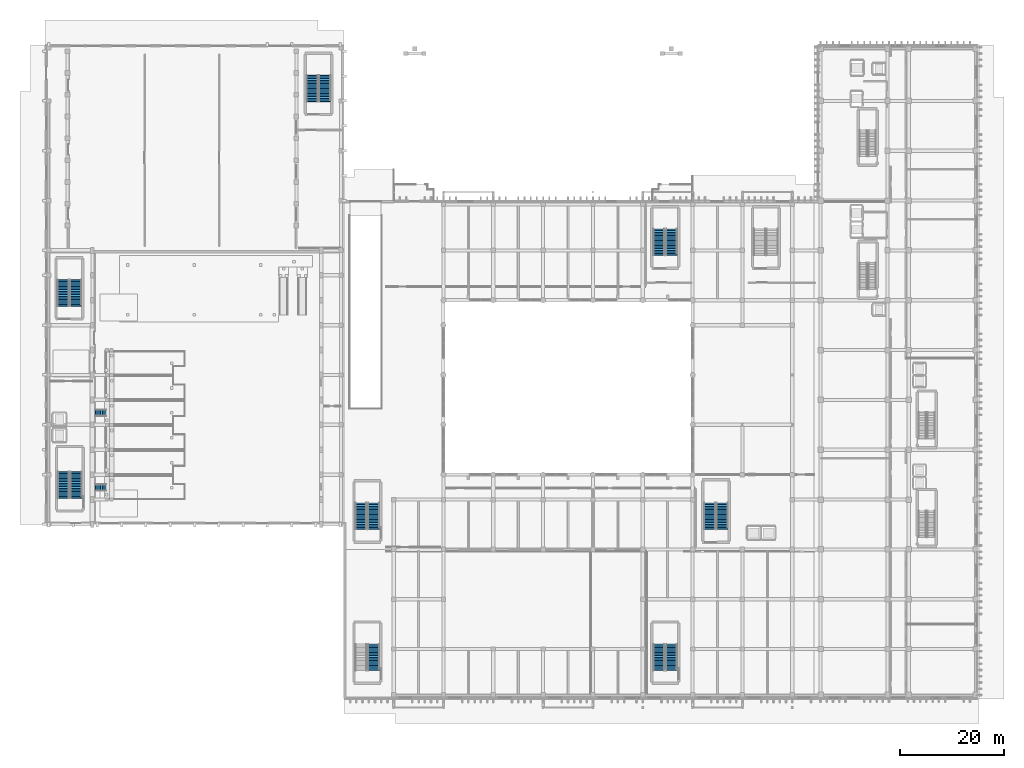
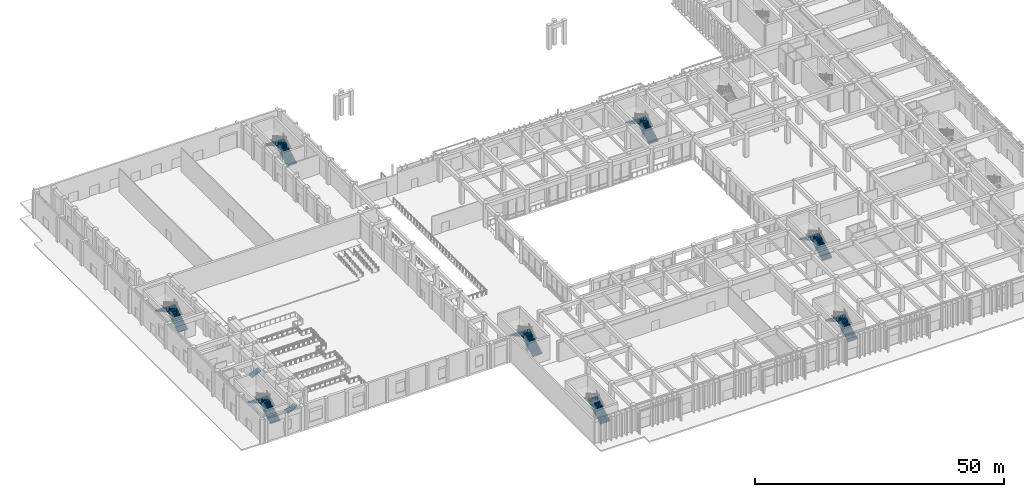
# One storey, part 53 of 87: 17 stair flights, 10 elements without a shape of their own.
"""IFC4 building model written with IfcOpenShell, lengths in metres."""

from ifc_helpers import new_model, si_unit, direction, frame, origin, place, context, subcontext, project, spatial, polyline, outline, extrude, material, layer, layer_set, type_object, element, aggregate, save


model = new_model("IFC4")

# Units and contexts
model_context = context("Model", 3, precision=1e-05, world=origin(), true_north=direction((0.0, 1.0)))
body_context = subcontext(model_context, "Body", "Model", "MODEL_VIEW")
ifc_project = project(units=[si_unit("LENGTHUNIT", "METRE"), si_unit("AREAUNIT", "SQUARE_METRE"), si_unit("VOLUMEUNIT", "CUBIC_METRE"), si_unit("PLANEANGLEUNIT", "RADIAN"), si_unit("MASSUNIT", "GRAM", prefix="KILO")], contexts=[model_context])

# Site, building, storey
site_placement = place(None, origin())
site = spatial("IfcSite", under=ifc_project, at=site_placement, CompositionType="ELEMENT")
building_placement = place(site_placement, origin())
building = spatial("IfcBuilding", under=site, at=building_placement, Name="Nakhvara Creek Congress Hotel", CompositionType="ELEMENT")
storey_placement = place(building_placement, origin())
storey = spatial("IfcBuildingStorey", under=building, at=storey_placement, Name="L00", CompositionType="ELEMENT", Elevation=0.0)

# Stair, stair flight
ifc_material = material(Name="Concrete C40/50", Category="concrete")
stair_type_1 = type_object("IfcStairType", Name="ST-VOM-165", PredefinedType="STRAIGHT_RUN_STAIR", material=ifc_material)
stair_1_placement = place(storey_placement, origin())
stair_1 = element("IfcStair", 1, at=stair_1_placement, inside=storey, type_object=stair_type_1, Name="Congress Vomitory Stair SV01", PredefinedType="STRAIGHT_RUN_STAIR")
ifc_layer_1 = layer(ifc_material, 0.179931640625)
ifc_layer_set_1 = layer_set([ifc_layer_1], Name="Concrete C40/50")
stair_flight_type_1 = type_object("IfcStairFlightType", Name="SFL-RC-165", PredefinedType="STRAIGHT", material=ifc_layer_set_1)
stair_flight_1_placement = place(storey_placement, frame((9.7099609375, 40.699951171875, 0.0), z_axis=(0.0, 0.0, 1.0), x_axis=(1.0, 0.0, 0.0)))
stair_flight_1 = element("IfcStairFlight", 2, at=stair_flight_1_placement, type_object=stair_flight_type_1, Name="SV01 flight 1", NumberOfRisers=7, NumberOfTreads=6, PredefinedType="STRAIGHT", RiserHeight=0.15, TreadLength=0.34, context=body_context, shape_type="SweptSolid", body=[
    extrude(outline(polyline([(-0.048095703125, 0.0), (0.0, 0.0), (0.0, 0.14990234375), (0.340087890625, 0.14990234375), (0.340087890625, 0.300048828125), (0.679931640625, 0.300048828125), (0.679931640625, 0.449951171875), (1.02001953125, 0.449951171875), (1.02001953125, 0.60009765625), (1.360107421875, 0.60009765625), (1.360107421875, 0.75), (1.699951171875, 0.75), (1.699951171875, 0.89990234375), (2.0400390625, 0.89990234375), (2.0400390625, 1.050048828125), (2.088134765625, 1.050048828125), (2.088134765625, 0.900146484375), (2.0400390625, 0.736083984375), (0.031494140625, -0.14990234375), (-0.048095703125, -0.14990234375), (-0.048095703125, 0.0)])), frame((0.0, 0.675048828125, 0.0), z_axis=(0.0, -1.0, 0.0), x_axis=(1.0, 0.0, 0.0)), (0.0, 0.0, 1.0), 1.35009765625),
])
aggregate(stair_1, [stair_flight_1])

stair_2_placement = place(storey_placement, origin())
stair_2 = element("IfcStair", 3, at=stair_2_placement, inside=storey, type_object=stair_type_1, Name="Congress Vomitory Stair SV02", PredefinedType="STRAIGHT_RUN_STAIR")
stair_flight_2_placement = place(storey_placement, frame((9.7099609375, 55.10009765625, 0.0), z_axis=(0.0, 0.0, 1.0), x_axis=(1.0, 0.0, 0.0)))
stair_flight_2 = element("IfcStairFlight", 4, at=stair_flight_2_placement, type_object=stair_flight_type_1, Name="SV02 flight 1", NumberOfRisers=7, NumberOfTreads=6, PredefinedType="STRAIGHT", RiserHeight=0.15, TreadLength=0.34, context=body_context, shape_type="SweptSolid", body=[
    extrude(outline(polyline([(-0.048095703125, 0.0), (0.0, 0.0), (0.0, 0.14990234375), (0.340087890625, 0.14990234375), (0.340087890625, 0.300048828125), (0.679931640625, 0.300048828125), (0.679931640625, 0.449951171875), (1.02001953125, 0.449951171875), (1.02001953125, 0.60009765625), (1.360107421875, 0.60009765625), (1.360107421875, 0.75), (1.699951171875, 0.75), (1.699951171875, 0.89990234375), (2.0400390625, 0.89990234375), (2.0400390625, 1.050048828125), (2.088134765625, 1.050048828125), (2.088134765625, 0.900146484375), (2.0400390625, 0.736083984375), (0.031494140625, -0.14990234375), (-0.048095703125, -0.14990234375), (-0.048095703125, 0.0)])), frame((0.0, 0.675048828125, 0.0), z_axis=(0.0, -1.0, 0.0), x_axis=(1.0, 0.0, 0.0)), (0.0, 0.0, 1.0), 1.35009765625),
])
aggregate(stair_2, [stair_flight_2])

# Stair, stair flights
stair_type_2 = type_object("IfcStairType", Name="ST-CORE-230", PredefinedType="HALF_TURN_STAIR", material=ifc_material)
stair_3_placement = place(storey_placement, origin())
stair_3 = element("IfcStair", 5, at=stair_3_placement, inside=storey, type_object=stair_type_2, Name="L00 Protected Exit Stair ST05", PredefinedType="HALF_TURN_STAIR")
ifc_layer_2 = layer(ifc_material, 0.219970703125)
ifc_layer_set_2 = layer_set([ifc_layer_2], Name="Concrete C40/50")
stair_flight_type_2 = type_object("IfcStairFlightType", Name="SFL-RC-230", PredefinedType="STRAIGHT", material=ifc_layer_set_2)
stair_flight_3_placement = place(storey_placement, frame((6.02001953125, 38.679931640625, 0.0), z_axis=(0.0, 0.0, 1.0), x_axis=(0.0, 1.0, 0.0)))
stair_flight_3 = element("IfcStairFlight", 6, at=stair_flight_3_placement, type_object=stair_flight_type_2, Name="ST05 flight 1", NumberOfRisers=17, NumberOfTreads=16, PredefinedType="STRAIGHT", RiserHeight=0.176470588, TreadLength=0.315, context=body_context, shape_type="SweptSolid", body=[
    extrude(outline(polyline([(-0.048095703125, 0.0), (0.0, 0.0), (0.0, 0.176513671875), (0.31494140625, 0.176513671875), (0.31494140625, 0.35302734375), (0.6298828125, 0.35302734375), (0.6298828125, 0.529296875), (0.945068359375, 0.529296875), (0.945068359375, 0.705810546875), (1.260009765625, 0.705810546875), (1.260009765625, 0.88232421875), (1.574951171875, 0.88232421875), (1.574951171875, 1.058837890625), (1.889892578125, 1.058837890625), (1.889892578125, 1.2353515625), (2.205078125, 1.2353515625), (2.205078125, 1.411865234375), (2.52001953125, 1.411865234375), (2.52001953125, 1.588134765625), (2.8349609375, 1.588134765625), (2.8349609375, 1.7646484375), (3.14990234375, 1.7646484375), (3.14990234375, 1.941162109375), (3.465087890625, 1.941162109375), (3.465087890625, 2.11767578125), (3.780029296875, 2.11767578125), (3.780029296875, 2.294189453125), (4.094970703125, 2.294189453125), (4.094970703125, 2.470703125), (4.409912109375, 2.470703125), (4.409912109375, 2.64697265625), (4.72509765625, 2.64697265625), (4.72509765625, 2.823486328125), (5.0400390625, 2.823486328125), (5.0400390625, 3.0), (5.088134765625, 3.0), (5.088134765625, 2.85009765625), (5.0400390625, 2.651611328125), (0.0390625, -0.14990234375), (-0.048095703125, -0.14990234375), (-0.048095703125, 0.0)])), frame((0.0, 1.14013671875, 0.0), z_axis=(0.0, -1.0, 0.0), x_axis=(1.0, 0.0, 0.0)), (0.0, 0.0, 1.0), 2.280029296875),
])
stair_flight_4_placement = place(storey_placement, frame((3.590087890625, 43.719970703125, 3.0), z_axis=(0.0, 0.0, 1.0), x_axis=(0.0, -1.0, 0.0)))
stair_flight_4 = element("IfcStairFlight", 7, at=stair_flight_4_placement, type_object=stair_flight_type_2, Name="ST05 flight 2", NumberOfRisers=17, NumberOfTreads=16, PredefinedType="STRAIGHT", RiserHeight=0.176470588, TreadLength=0.315, context=body_context, shape_type="SweptSolid", body=[
    extrude(outline(polyline([(-0.048095703125, 0.0), (0.0, 0.0), (0.0, 0.176513671875), (0.31494140625, 0.176513671875), (0.31494140625, 0.35302734375), (0.6298828125, 0.35302734375), (0.6298828125, 0.529296875), (0.945068359375, 0.529296875), (0.945068359375, 0.705810546875), (1.260009765625, 0.705810546875), (1.260009765625, 0.88232421875), (1.574951171875, 0.88232421875), (1.574951171875, 1.058837890625), (1.889892578125, 1.058837890625), (1.889892578125, 1.2353515625), (2.205078125, 1.2353515625), (2.205078125, 1.411865234375), (2.52001953125, 1.411865234375), (2.52001953125, 1.588134765625), (2.8349609375, 1.588134765625), (2.8349609375, 1.7646484375), (3.14990234375, 1.7646484375), (3.14990234375, 1.941162109375), (3.465087890625, 1.941162109375), (3.465087890625, 2.11767578125), (3.780029296875, 2.11767578125), (3.780029296875, 2.294189453125), (4.094970703125, 2.294189453125), (4.094970703125, 2.470703125), (4.409912109375, 2.470703125), (4.409912109375, 2.64697265625), (4.72509765625, 2.64697265625), (4.72509765625, 2.823486328125), (5.0400390625, 2.823486328125), (5.0400390625, 3.0), (5.088134765625, 3.0), (5.088134765625, 2.85009765625), (5.0400390625, 2.651611328125), (0.0390625, -0.14990234375), (-0.048095703125, -0.14990234375), (-0.048095703125, 0.0)])), frame((0.0, 1.14013671875, 0.0), z_axis=(0.0, -1.0, 0.0), x_axis=(1.0, 0.0, 0.0)), (0.0, 0.0, 1.0), 2.280029296875),
])
aggregate(stair_3, [stair_flight_3, stair_flight_4])

stair_4_placement = place(storey_placement, origin())
stair_4 = element("IfcStair", 8, at=stair_4_placement, inside=storey, type_object=stair_type_2, Name="L00 Protected Exit Stair ST06", PredefinedType="HALF_TURN_STAIR")
stair_flight_5_placement = place(storey_placement, frame((130.52001953125, 32.679931640625, 0.0), z_axis=(0.0, 0.0, 1.0), x_axis=(0.0, 1.0, 0.0)))
stair_flight_5 = element("IfcStairFlight", 9, at=stair_flight_5_placement, type_object=stair_flight_type_2, Name="ST06 flight 1", NumberOfRisers=17, NumberOfTreads=16, PredefinedType="STRAIGHT", RiserHeight=0.176470588, TreadLength=0.315, context=body_context, shape_type="SweptSolid", body=[
    extrude(outline(polyline([(-0.048095703125, 0.0), (0.0, 0.0), (0.0, 0.176513671875), (0.31494140625, 0.176513671875), (0.31494140625, 0.35302734375), (0.6298828125, 0.35302734375), (0.6298828125, 0.529296875), (0.945068359375, 0.529296875), (0.945068359375, 0.705810546875), (1.260009765625, 0.705810546875), (1.260009765625, 0.88232421875), (1.574951171875, 0.88232421875), (1.574951171875, 1.058837890625), (1.889892578125, 1.058837890625), (1.889892578125, 1.2353515625), (2.205078125, 1.2353515625), (2.205078125, 1.411865234375), (2.52001953125, 1.411865234375), (2.52001953125, 1.588134765625), (2.8349609375, 1.588134765625), (2.8349609375, 1.7646484375), (3.14990234375, 1.7646484375), (3.14990234375, 1.941162109375), (3.465087890625, 1.941162109375), (3.465087890625, 2.11767578125), (3.780029296875, 2.11767578125), (3.780029296875, 2.294189453125), (4.094970703125, 2.294189453125), (4.094970703125, 2.470703125), (4.409912109375, 2.470703125), (4.409912109375, 2.64697265625), (4.72509765625, 2.64697265625), (4.72509765625, 2.823486328125), (5.0400390625, 2.823486328125), (5.0400390625, 3.0), (5.088134765625, 3.0), (5.088134765625, 2.85009765625), (5.0400390625, 2.651611328125), (0.0390625, -0.14990234375), (-0.048095703125, -0.14990234375), (-0.048095703125, 0.0)])), frame((0.0, 1.14013671875, 0.0), z_axis=(0.0, -1.0, 0.0), x_axis=(1.0, 0.0, 0.0)), (0.0, 0.0, 1.0), 2.280029296875),
])
stair_flight_6_placement = place(storey_placement, frame((128.090087890625, 37.719970703125, 3.0), z_axis=(0.0, 0.0, 1.0), x_axis=(0.0, -1.0, 0.0)))
stair_flight_6 = element("IfcStairFlight", 10, at=stair_flight_6_placement, type_object=stair_flight_type_2, Name="ST06 flight 2", NumberOfRisers=17, NumberOfTreads=16, PredefinedType="STRAIGHT", RiserHeight=0.176470588, TreadLength=0.315, context=body_context, shape_type="SweptSolid", body=[
    extrude(outline(polyline([(-0.048095703125, 0.0), (0.0, 0.0), (0.0, 0.176513671875), (0.31494140625, 0.176513671875), (0.31494140625, 0.35302734375), (0.6298828125, 0.35302734375), (0.6298828125, 0.529296875), (0.945068359375, 0.529296875), (0.945068359375, 0.705810546875), (1.260009765625, 0.705810546875), (1.260009765625, 0.88232421875), (1.574951171875, 0.88232421875), (1.574951171875, 1.058837890625), (1.889892578125, 1.058837890625), (1.889892578125, 1.2353515625), (2.205078125, 1.2353515625), (2.205078125, 1.411865234375), (2.52001953125, 1.411865234375), (2.52001953125, 1.588134765625), (2.8349609375, 1.588134765625), (2.8349609375, 1.7646484375), (3.14990234375, 1.7646484375), (3.14990234375, 1.941162109375), (3.465087890625, 1.941162109375), (3.465087890625, 2.11767578125), (3.780029296875, 2.11767578125), (3.780029296875, 2.294189453125), (4.094970703125, 2.294189453125), (4.094970703125, 2.470703125), (4.409912109375, 2.470703125), (4.409912109375, 2.64697265625), (4.72509765625, 2.64697265625), (4.72509765625, 2.823486328125), (5.0400390625, 2.823486328125), (5.0400390625, 3.0), (5.088134765625, 3.0), (5.088134765625, 2.85009765625), (5.0400390625, 2.651611328125), (0.0390625, -0.14990234375), (-0.048095703125, -0.14990234375), (-0.048095703125, 0.0)])), frame((0.0, 1.14013671875, 0.0), z_axis=(0.0, -1.0, 0.0), x_axis=(1.0, 0.0, 0.0)), (0.0, 0.0, 1.0), 2.280029296875),
])
aggregate(stair_4, [stair_flight_5, stair_flight_6])

stair_5_placement = place(storey_placement, origin())
stair_5 = element("IfcStair", 11, at=stair_5_placement, inside=storey, type_object=stair_type_2, Name="L00 Protected Exit Stair ST07", PredefinedType="HALF_TURN_STAIR")
stair_flight_7_placement = place(storey_placement, frame((5.93994140625, 75.679931640625, 0.0), z_axis=(0.0, 0.0, 1.0), x_axis=(0.0, 1.0, 0.0)))
stair_flight_7 = element("IfcStairFlight", 12, at=stair_flight_7_placement, type_object=stair_flight_type_2, Name="ST07 flight 1", NumberOfRisers=17, NumberOfTreads=16, PredefinedType="STRAIGHT", RiserHeight=0.176470588, TreadLength=0.315, context=body_context, shape_type="SweptSolid", body=[
    extrude(outline(polyline([(-0.048095703125, 0.0), (0.0, 0.0), (0.0, 0.176513671875), (0.31494140625, 0.176513671875), (0.31494140625, 0.35302734375), (0.6298828125, 0.35302734375), (0.6298828125, 0.529296875), (0.945068359375, 0.529296875), (0.945068359375, 0.705810546875), (1.260009765625, 0.705810546875), (1.260009765625, 0.88232421875), (1.574951171875, 0.88232421875), (1.574951171875, 1.058837890625), (1.889892578125, 1.058837890625), (1.889892578125, 1.2353515625), (2.205078125, 1.2353515625), (2.205078125, 1.411865234375), (2.52001953125, 1.411865234375), (2.52001953125, 1.588134765625), (2.8349609375, 1.588134765625), (2.8349609375, 1.7646484375), (3.14990234375, 1.7646484375), (3.14990234375, 1.941162109375), (3.465087890625, 1.941162109375), (3.465087890625, 2.11767578125), (3.780029296875, 2.11767578125), (3.780029296875, 2.294189453125), (4.094970703125, 2.294189453125), (4.094970703125, 2.470703125), (4.409912109375, 2.470703125), (4.409912109375, 2.64697265625), (4.72509765625, 2.64697265625), (4.72509765625, 2.823486328125), (5.0400390625, 2.823486328125), (5.0400390625, 3.0), (5.088134765625, 3.0), (5.088134765625, 2.85009765625), (5.0400390625, 2.651611328125), (0.0390625, -0.14990234375), (-0.048095703125, -0.14990234375), (-0.048095703125, 0.0)])), frame((0.0, 1.14013671875, 0.0), z_axis=(0.0, -1.0, 0.0), x_axis=(1.0, 0.0, 0.0)), (0.0, 0.0, 1.0), 2.280029296875),
])
stair_flight_8_placement = place(storey_placement, frame((3.510009765625, 80.719970703125, 3.0), z_axis=(0.0, 0.0, 1.0), x_axis=(0.0, -1.0, 0.0)))
stair_flight_8 = element("IfcStairFlight", 13, at=stair_flight_8_placement, type_object=stair_flight_type_2, Name="ST07 flight 2", NumberOfRisers=17, NumberOfTreads=16, PredefinedType="STRAIGHT", RiserHeight=0.176470588, TreadLength=0.315, context=body_context, shape_type="SweptSolid", body=[
    extrude(outline(polyline([(-0.048095703125, 0.0), (0.0, 0.0), (0.0, 0.176513671875), (0.31494140625, 0.176513671875), (0.31494140625, 0.35302734375), (0.6298828125, 0.35302734375), (0.6298828125, 0.529296875), (0.945068359375, 0.529296875), (0.945068359375, 0.705810546875), (1.260009765625, 0.705810546875), (1.260009765625, 0.88232421875), (1.574951171875, 0.88232421875), (1.574951171875, 1.058837890625), (1.889892578125, 1.058837890625), (1.889892578125, 1.2353515625), (2.205078125, 1.2353515625), (2.205078125, 1.411865234375), (2.52001953125, 1.411865234375), (2.52001953125, 1.588134765625), (2.8349609375, 1.588134765625), (2.8349609375, 1.7646484375), (3.14990234375, 1.7646484375), (3.14990234375, 1.941162109375), (3.465087890625, 1.941162109375), (3.465087890625, 2.11767578125), (3.780029296875, 2.11767578125), (3.780029296875, 2.294189453125), (4.094970703125, 2.294189453125), (4.094970703125, 2.470703125), (4.409912109375, 2.470703125), (4.409912109375, 2.64697265625), (4.72509765625, 2.64697265625), (4.72509765625, 2.823486328125), (5.0400390625, 2.823486328125), (5.0400390625, 3.0), (5.088134765625, 3.0), (5.088134765625, 2.85009765625), (5.0400390625, 2.651611328125), (0.0390625, -0.14990234375), (-0.048095703125, -0.14990234375), (-0.048095703125, 0.0)])), frame((0.0, 1.14013671875, 0.0), z_axis=(0.0, -1.0, 0.0), x_axis=(1.0, 0.0, 0.0)), (0.0, 0.0, 1.0), 2.280029296875),
])
aggregate(stair_5, [stair_flight_7, stair_flight_8])

stair_6_placement = place(storey_placement, origin())
stair_6 = element("IfcStair", 14, at=stair_6_placement, inside=storey, type_object=stair_type_2, Name="L00 Protected Exit Stair ST08", PredefinedType="HALF_TURN_STAIR")
stair_flight_9_placement = place(storey_placement, frame((53.93994140625, 115.080078125, 0.0), z_axis=(0.0, 0.0, 1.0), x_axis=(0.0, 1.0, 0.0)))
stair_flight_9 = element("IfcStairFlight", 15, at=stair_flight_9_placement, type_object=stair_flight_type_2, Name="ST08 flight 1", NumberOfRisers=17, NumberOfTreads=16, PredefinedType="STRAIGHT", RiserHeight=0.176470588, TreadLength=0.315, context=body_context, shape_type="SweptSolid", body=[
    extrude(outline(polyline([(-0.048095703125, 0.0), (0.0, 0.0), (0.0, 0.176513671875), (0.31494140625, 0.176513671875), (0.31494140625, 0.35302734375), (0.6298828125, 0.35302734375), (0.6298828125, 0.529296875), (0.945068359375, 0.529296875), (0.945068359375, 0.705810546875), (1.260009765625, 0.705810546875), (1.260009765625, 0.88232421875), (1.574951171875, 0.88232421875), (1.574951171875, 1.058837890625), (1.889892578125, 1.058837890625), (1.889892578125, 1.2353515625), (2.205078125, 1.2353515625), (2.205078125, 1.411865234375), (2.52001953125, 1.411865234375), (2.52001953125, 1.588134765625), (2.8349609375, 1.588134765625), (2.8349609375, 1.7646484375), (3.14990234375, 1.7646484375), (3.14990234375, 1.941162109375), (3.465087890625, 1.941162109375), (3.465087890625, 2.11767578125), (3.780029296875, 2.11767578125), (3.780029296875, 2.294189453125), (4.094970703125, 2.294189453125), (4.094970703125, 2.470703125), (4.409912109375, 2.470703125), (4.409912109375, 2.64697265625), (4.72509765625, 2.64697265625), (4.72509765625, 2.823486328125), (5.0400390625, 2.823486328125), (5.0400390625, 3.0), (5.088134765625, 3.0), (5.088134765625, 2.85009765625), (5.0400390625, 2.651611328125), (0.0390625, -0.14990234375), (-0.048095703125, -0.14990234375), (-0.048095703125, 0.0)])), frame((0.0, 1.14013671875, 0.0), z_axis=(0.0, -1.0, 0.0), x_axis=(1.0, 0.0, 0.0)), (0.0, 0.0, 1.0), 2.280029296875),
])
stair_flight_10_placement = place(storey_placement, frame((51.510009765625, 120.1201171875, 3.0), z_axis=(0.0, 0.0, 1.0), x_axis=(0.0, -1.0, 0.0)))
stair_flight_10 = element("IfcStairFlight", 16, at=stair_flight_10_placement, type_object=stair_flight_type_2, Name="ST08 flight 2", NumberOfRisers=17, NumberOfTreads=16, PredefinedType="STRAIGHT", RiserHeight=0.176470588, TreadLength=0.315, context=body_context, shape_type="SweptSolid", body=[
    extrude(outline(polyline([(-0.048095703125, 0.0), (0.0, 0.0), (0.0, 0.176513671875), (0.31494140625, 0.176513671875), (0.31494140625, 0.35302734375), (0.6298828125, 0.35302734375), (0.6298828125, 0.529296875), (0.945068359375, 0.529296875), (0.945068359375, 0.705810546875), (1.260009765625, 0.705810546875), (1.260009765625, 0.88232421875), (1.574951171875, 0.88232421875), (1.574951171875, 1.058837890625), (1.889892578125, 1.058837890625), (1.889892578125, 1.2353515625), (2.205078125, 1.2353515625), (2.205078125, 1.411865234375), (2.52001953125, 1.411865234375), (2.52001953125, 1.588134765625), (2.8349609375, 1.588134765625), (2.8349609375, 1.7646484375), (3.14990234375, 1.7646484375), (3.14990234375, 1.941162109375), (3.465087890625, 1.941162109375), (3.465087890625, 2.11767578125), (3.780029296875, 2.11767578125), (3.780029296875, 2.294189453125), (4.094970703125, 2.294189453125), (4.094970703125, 2.470703125), (4.409912109375, 2.470703125), (4.409912109375, 2.64697265625), (4.72509765625, 2.64697265625), (4.72509765625, 2.823486328125), (5.0400390625, 2.823486328125), (5.0400390625, 3.0), (5.088134765625, 3.0), (5.088134765625, 2.85009765625), (5.0400390625, 2.651611328125), (0.0390625, -0.14990234375), (-0.048095703125, -0.14990234375), (-0.048095703125, 0.0)])), frame((0.0, 1.14013671875, 0.0), z_axis=(0.0, -1.0, 0.0), x_axis=(1.0, 0.0, 0.0)), (0.0, 0.0, 1.0), 2.280029296875),
])
aggregate(stair_6, [stair_flight_9, stair_flight_10])

stair_7_placement = place(storey_placement, origin())
stair_7 = element("IfcStair", 17, at=stair_7_placement, inside=storey, type_object=stair_type_2, Name="L00 Protected Exit Stair ST09", PredefinedType="HALF_TURN_STAIR")
stair_flight_11_placement = place(storey_placement, frame((120.739990234375, 85.47998046875, 0.0), z_axis=(0.0, 0.0, 1.0), x_axis=(0.0, 1.0, 0.0)))
stair_flight_11 = element("IfcStairFlight", 18, at=stair_flight_11_placement, type_object=stair_flight_type_2, Name="ST09 flight 1", NumberOfRisers=17, NumberOfTreads=16, PredefinedType="STRAIGHT", RiserHeight=0.176470588, TreadLength=0.315, context=body_context, shape_type="SweptSolid", body=[
    extrude(outline(polyline([(-0.048095703125, 0.0), (0.0, 0.0), (0.0, 0.176513671875), (0.31494140625, 0.176513671875), (0.31494140625, 0.35302734375), (0.6298828125, 0.35302734375), (0.6298828125, 0.529296875), (0.945068359375, 0.529296875), (0.945068359375, 0.705810546875), (1.260009765625, 0.705810546875), (1.260009765625, 0.88232421875), (1.574951171875, 0.88232421875), (1.574951171875, 1.058837890625), (1.889892578125, 1.058837890625), (1.889892578125, 1.2353515625), (2.205078125, 1.2353515625), (2.205078125, 1.411865234375), (2.52001953125, 1.411865234375), (2.52001953125, 1.588134765625), (2.8349609375, 1.588134765625), (2.8349609375, 1.7646484375), (3.14990234375, 1.7646484375), (3.14990234375, 1.941162109375), (3.465087890625, 1.941162109375), (3.465087890625, 2.11767578125), (3.780029296875, 2.11767578125), (3.780029296875, 2.294189453125), (4.094970703125, 2.294189453125), (4.094970703125, 2.470703125), (4.409912109375, 2.470703125), (4.409912109375, 2.64697265625), (4.72509765625, 2.64697265625), (4.72509765625, 2.823486328125), (5.0400390625, 2.823486328125), (5.0400390625, 3.0), (5.088134765625, 3.0), (5.088134765625, 2.85009765625), (5.0400390625, 2.651611328125), (0.0390625, -0.14990234375), (-0.048095703125, -0.14990234375), (-0.048095703125, 0.0)])), frame((0.0, 1.14013671875, 0.0), z_axis=(0.0, -1.0, 0.0), x_axis=(1.0, 0.0, 0.0)), (0.0, 0.0, 1.0), 2.280029296875),
])
stair_flight_12_placement = place(storey_placement, frame((118.31005859375, 90.52001953125, 3.0), z_axis=(0.0, 0.0, 1.0), x_axis=(0.0, -1.0, 0.0)))
stair_flight_12 = element("IfcStairFlight", 19, at=stair_flight_12_placement, type_object=stair_flight_type_2, Name="ST09 flight 2", NumberOfRisers=17, NumberOfTreads=16, PredefinedType="STRAIGHT", RiserHeight=0.176470588, TreadLength=0.315, context=body_context, shape_type="SweptSolid", body=[
    extrude(outline(polyline([(-0.048095703125, 0.0), (0.0, 0.0), (0.0, 0.176513671875), (0.31494140625, 0.176513671875), (0.31494140625, 0.35302734375), (0.6298828125, 0.35302734375), (0.6298828125, 0.529296875), (0.945068359375, 0.529296875), (0.945068359375, 0.705810546875), (1.260009765625, 0.705810546875), (1.260009765625, 0.88232421875), (1.574951171875, 0.88232421875), (1.574951171875, 1.058837890625), (1.889892578125, 1.058837890625), (1.889892578125, 1.2353515625), (2.205078125, 1.2353515625), (2.205078125, 1.411865234375), (2.52001953125, 1.411865234375), (2.52001953125, 1.588134765625), (2.8349609375, 1.588134765625), (2.8349609375, 1.7646484375), (3.14990234375, 1.7646484375), (3.14990234375, 1.941162109375), (3.465087890625, 1.941162109375), (3.465087890625, 2.11767578125), (3.780029296875, 2.11767578125), (3.780029296875, 2.294189453125), (4.094970703125, 2.294189453125), (4.094970703125, 2.470703125), (4.409912109375, 2.470703125), (4.409912109375, 2.64697265625), (4.72509765625, 2.64697265625), (4.72509765625, 2.823486328125), (5.0400390625, 2.823486328125), (5.0400390625, 3.0), (5.088134765625, 3.0), (5.088134765625, 2.85009765625), (5.0400390625, 2.651611328125), (0.0390625, -0.14990234375), (-0.048095703125, -0.14990234375), (-0.048095703125, 0.0)])), frame((0.0, 1.14013671875, 0.0), z_axis=(0.0, -1.0, 0.0), x_axis=(1.0, 0.0, 0.0)), (0.0, 0.0, 1.0), 2.280029296875),
])
aggregate(stair_7, [stair_flight_11, stair_flight_12])

# Stair, stair flight
stair_8_placement = place(storey_placement, origin())
stair_8 = element("IfcStair", 20, at=stair_8_placement, inside=storey, type_object=stair_type_2, Name="L00 Protected Exit Stair ST11", PredefinedType="HALF_TURN_STAIR")
stair_flight_13_placement = place(storey_placement, frame((63.340087890625, 5.47998046875, 0.0), z_axis=(0.0, 0.0, 1.0), x_axis=(0.0, 1.0, 0.0)))
stair_flight_13 = element("IfcStairFlight", 21, at=stair_flight_13_placement, type_object=stair_flight_type_2, Name="ST11 flight 1", NumberOfRisers=17, NumberOfTreads=16, PredefinedType="STRAIGHT", RiserHeight=0.176470588, TreadLength=0.315, context=body_context, shape_type="SweptSolid", body=[
    extrude(outline(polyline([(-0.048095703125, 0.0), (0.0, 0.0), (0.0, 0.176513671875), (0.31494140625, 0.176513671875), (0.31494140625, 0.35302734375), (0.6298828125, 0.35302734375), (0.6298828125, 0.529296875), (0.945068359375, 0.529296875), (0.945068359375, 0.705810546875), (1.260009765625, 0.705810546875), (1.260009765625, 0.88232421875), (1.574951171875, 0.88232421875), (1.574951171875, 1.058837890625), (1.889892578125, 1.058837890625), (1.889892578125, 1.2353515625), (2.205078125, 1.2353515625), (2.205078125, 1.411865234375), (2.52001953125, 1.411865234375), (2.52001953125, 1.588134765625), (2.8349609375, 1.588134765625), (2.8349609375, 1.7646484375), (3.14990234375, 1.7646484375), (3.14990234375, 1.941162109375), (3.465087890625, 1.941162109375), (3.465087890625, 2.11767578125), (3.780029296875, 2.11767578125), (3.780029296875, 2.294189453125), (4.094970703125, 2.294189453125), (4.094970703125, 2.470703125), (4.409912109375, 2.470703125), (4.409912109375, 2.64697265625), (4.72509765625, 2.64697265625), (4.72509765625, 2.823486328125), (5.0400390625, 2.823486328125), (5.0400390625, 3.0), (5.088134765625, 3.0), (5.088134765625, 2.85009765625), (5.0400390625, 2.651611328125), (0.0390625, -0.14990234375), (-0.048095703125, -0.14990234375), (-0.048095703125, 0.0)])), frame((0.0, 1.14013671875, 0.0), z_axis=(0.0, -1.0, 0.0), x_axis=(1.0, 0.0, 0.0)), (0.0, 0.0, 1.0), 2.280029296875),
])
aggregate(stair_8, [stair_flight_13])

# Stair, stair flights
stair_9_placement = place(storey_placement, origin())
stair_9 = element("IfcStair", 22, at=stair_9_placement, inside=storey, type_object=stair_type_2, Name="L00 Protected Exit Stair ST12", PredefinedType="HALF_TURN_STAIR")
stair_flight_14_placement = place(storey_placement, frame((120.739990234375, 5.47998046875, 0.0), z_axis=(0.0, 0.0, 1.0), x_axis=(0.0, 1.0, 0.0)))
stair_flight_14 = element("IfcStairFlight", 23, at=stair_flight_14_placement, type_object=stair_flight_type_2, Name="ST12 flight 1", NumberOfRisers=17, NumberOfTreads=16, PredefinedType="STRAIGHT", RiserHeight=0.176470588, TreadLength=0.315, context=body_context, shape_type="SweptSolid", body=[
    extrude(outline(polyline([(-0.048095703125, 0.0), (0.0, 0.0), (0.0, 0.176513671875), (0.31494140625, 0.176513671875), (0.31494140625, 0.35302734375), (0.6298828125, 0.35302734375), (0.6298828125, 0.529296875), (0.945068359375, 0.529296875), (0.945068359375, 0.705810546875), (1.260009765625, 0.705810546875), (1.260009765625, 0.88232421875), (1.574951171875, 0.88232421875), (1.574951171875, 1.058837890625), (1.889892578125, 1.058837890625), (1.889892578125, 1.2353515625), (2.205078125, 1.2353515625), (2.205078125, 1.411865234375), (2.52001953125, 1.411865234375), (2.52001953125, 1.588134765625), (2.8349609375, 1.588134765625), (2.8349609375, 1.7646484375), (3.14990234375, 1.7646484375), (3.14990234375, 1.941162109375), (3.465087890625, 1.941162109375), (3.465087890625, 2.11767578125), (3.780029296875, 2.11767578125), (3.780029296875, 2.294189453125), (4.094970703125, 2.294189453125), (4.094970703125, 2.470703125), (4.409912109375, 2.470703125), (4.409912109375, 2.64697265625), (4.72509765625, 2.64697265625), (4.72509765625, 2.823486328125), (5.0400390625, 2.823486328125), (5.0400390625, 3.0), (5.088134765625, 3.0), (5.088134765625, 2.85009765625), (5.0400390625, 2.651611328125), (0.0390625, -0.14990234375), (-0.048095703125, -0.14990234375), (-0.048095703125, 0.0)])), frame((0.0, 1.14013671875, 0.0), z_axis=(0.0, -1.0, 0.0), x_axis=(1.0, 0.0, 0.0)), (0.0, 0.0, 1.0), 2.280029296875),
])
stair_flight_15_placement = place(storey_placement, frame((118.31005859375, 10.52001953125, 3.0), z_axis=(0.0, 0.0, 1.0), x_axis=(0.0, -1.0, 0.0)))
stair_flight_15 = element("IfcStairFlight", 24, at=stair_flight_15_placement, type_object=stair_flight_type_2, Name="ST12 flight 2", NumberOfRisers=17, NumberOfTreads=16, PredefinedType="STRAIGHT", RiserHeight=0.176470588, TreadLength=0.315, context=body_context, shape_type="SweptSolid", body=[
    extrude(outline(polyline([(-0.048095703125, 0.0), (0.0, 0.0), (0.0, 0.176513671875), (0.31494140625, 0.176513671875), (0.31494140625, 0.35302734375), (0.6298828125, 0.35302734375), (0.6298828125, 0.529296875), (0.945068359375, 0.529296875), (0.945068359375, 0.705810546875), (1.260009765625, 0.705810546875), (1.260009765625, 0.88232421875), (1.574951171875, 0.88232421875), (1.574951171875, 1.058837890625), (1.889892578125, 1.058837890625), (1.889892578125, 1.2353515625), (2.205078125, 1.2353515625), (2.205078125, 1.411865234375), (2.52001953125, 1.411865234375), (2.52001953125, 1.588134765625), (2.8349609375, 1.588134765625), (2.8349609375, 1.7646484375), (3.14990234375, 1.7646484375), (3.14990234375, 1.941162109375), (3.465087890625, 1.941162109375), (3.465087890625, 2.11767578125), (3.780029296875, 2.11767578125), (3.780029296875, 2.294189453125), (4.094970703125, 2.294189453125), (4.094970703125, 2.470703125), (4.409912109375, 2.470703125), (4.409912109375, 2.64697265625), (4.72509765625, 2.64697265625), (4.72509765625, 2.823486328125), (5.0400390625, 2.823486328125), (5.0400390625, 3.0), (5.088134765625, 3.0), (5.088134765625, 2.85009765625), (5.0400390625, 2.651611328125), (0.0390625, -0.14990234375), (-0.048095703125, -0.14990234375), (-0.048095703125, 0.0)])), frame((0.0, 1.14013671875, 0.0), z_axis=(0.0, -1.0, 0.0), x_axis=(1.0, 0.0, 0.0)), (0.0, 0.0, 1.0), 2.280029296875),
])
aggregate(stair_9, [stair_flight_14, stair_flight_15])

stair_10_placement = place(storey_placement, origin())
stair_10 = element("IfcStair", 25, at=stair_10_placement, inside=storey, type_object=stair_type_2, Name="L00 Protected Exit Stair ST13", PredefinedType="HALF_TURN_STAIR")
stair_flight_16_placement = place(storey_placement, frame((63.340087890625, 32.679931640625, 0.0), z_axis=(0.0, 0.0, 1.0), x_axis=(0.0, 1.0, 0.0)))
stair_flight_16 = element("IfcStairFlight", 26, at=stair_flight_16_placement, type_object=stair_flight_type_2, Name="ST13 flight 1", NumberOfRisers=17, NumberOfTreads=16, PredefinedType="STRAIGHT", RiserHeight=0.176470588, TreadLength=0.315, context=body_context, shape_type="SweptSolid", body=[
    extrude(outline(polyline([(-0.048095703125, 0.0), (0.0, 0.0), (0.0, 0.176513671875), (0.31494140625, 0.176513671875), (0.31494140625, 0.35302734375), (0.6298828125, 0.35302734375), (0.6298828125, 0.529296875), (0.945068359375, 0.529296875), (0.945068359375, 0.705810546875), (1.260009765625, 0.705810546875), (1.260009765625, 0.88232421875), (1.574951171875, 0.88232421875), (1.574951171875, 1.058837890625), (1.889892578125, 1.058837890625), (1.889892578125, 1.2353515625), (2.205078125, 1.2353515625), (2.205078125, 1.411865234375), (2.52001953125, 1.411865234375), (2.52001953125, 1.588134765625), (2.8349609375, 1.588134765625), (2.8349609375, 1.7646484375), (3.14990234375, 1.7646484375), (3.14990234375, 1.941162109375), (3.465087890625, 1.941162109375), (3.465087890625, 2.11767578125), (3.780029296875, 2.11767578125), (3.780029296875, 2.294189453125), (4.094970703125, 2.294189453125), (4.094970703125, 2.470703125), (4.409912109375, 2.470703125), (4.409912109375, 2.64697265625), (4.72509765625, 2.64697265625), (4.72509765625, 2.823486328125), (5.0400390625, 2.823486328125), (5.0400390625, 3.0), (5.088134765625, 3.0), (5.088134765625, 2.85009765625), (5.0400390625, 2.651611328125), (0.0390625, -0.14990234375), (-0.048095703125, -0.14990234375), (-0.048095703125, 0.0)])), frame((0.0, 1.14013671875, 0.0), z_axis=(0.0, -1.0, 0.0), x_axis=(1.0, 0.0, 0.0)), (0.0, 0.0, 1.0), 2.280029296875),
])
stair_flight_17_placement = place(storey_placement, frame((60.909912109375, 37.719970703125, 3.0), z_axis=(0.0, 0.0, 1.0), x_axis=(0.0, -1.0, 0.0)))
stair_flight_17 = element("IfcStairFlight", 27, at=stair_flight_17_placement, type_object=stair_flight_type_2, Name="ST13 flight 2", NumberOfRisers=17, NumberOfTreads=16, PredefinedType="STRAIGHT", RiserHeight=0.176470588, TreadLength=0.315, context=body_context, shape_type="SweptSolid", body=[
    extrude(outline(polyline([(-0.048095703125, 0.0), (0.0, 0.0), (0.0, 0.176513671875), (0.31494140625, 0.176513671875), (0.31494140625, 0.35302734375), (0.6298828125, 0.35302734375), (0.6298828125, 0.529296875), (0.945068359375, 0.529296875), (0.945068359375, 0.705810546875), (1.260009765625, 0.705810546875), (1.260009765625, 0.88232421875), (1.574951171875, 0.88232421875), (1.574951171875, 1.058837890625), (1.889892578125, 1.058837890625), (1.889892578125, 1.2353515625), (2.205078125, 1.2353515625), (2.205078125, 1.411865234375), (2.52001953125, 1.411865234375), (2.52001953125, 1.588134765625), (2.8349609375, 1.588134765625), (2.8349609375, 1.7646484375), (3.14990234375, 1.7646484375), (3.14990234375, 1.941162109375), (3.465087890625, 1.941162109375), (3.465087890625, 2.11767578125), (3.780029296875, 2.11767578125), (3.780029296875, 2.294189453125), (4.094970703125, 2.294189453125), (4.094970703125, 2.470703125), (4.409912109375, 2.470703125), (4.409912109375, 2.64697265625), (4.72509765625, 2.64697265625), (4.72509765625, 2.823486328125), (5.0400390625, 2.823486328125), (5.0400390625, 3.0), (5.088134765625, 3.0), (5.088134765625, 2.85009765625), (5.0400390625, 2.651611328125), (0.0390625, -0.14990234375), (-0.048095703125, -0.14990234375), (-0.048095703125, 0.0)])), frame((0.0, 1.14013671875, 0.0), z_axis=(0.0, -1.0, 0.0), x_axis=(1.0, 0.0, 0.0)), (0.0, 0.0, 1.0), 2.280029296875),
])
aggregate(stair_10, [stair_flight_16, stair_flight_17])

save(model, "model.ifc")
